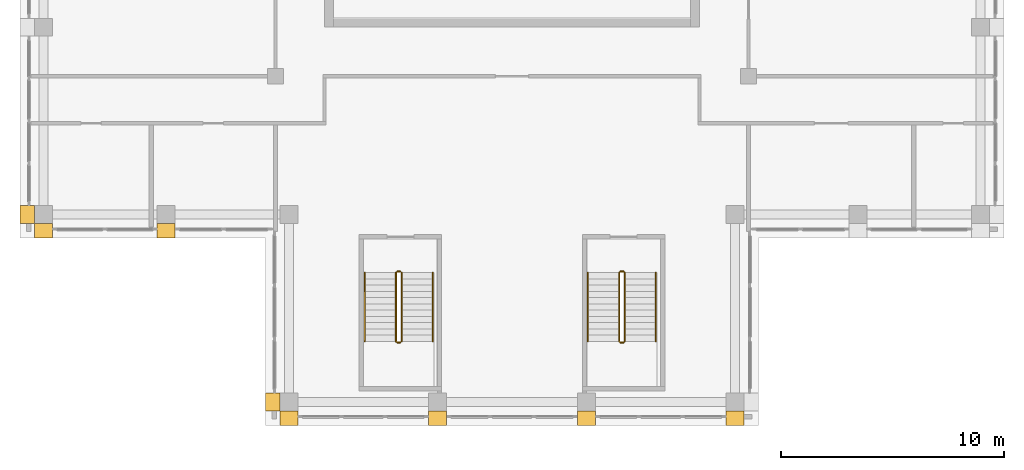
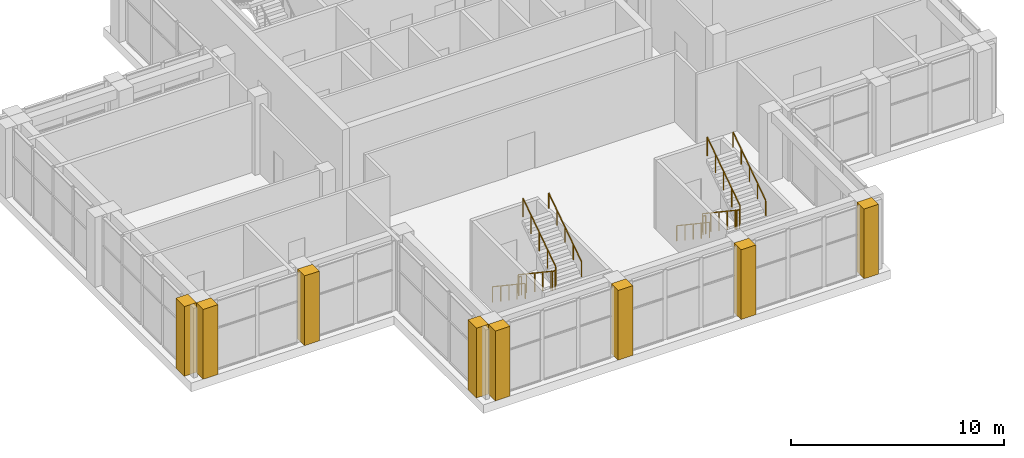
# One storey, part 12 of 14: 10 railings, 8 coverings.
"""IFC4 building model written with IfcOpenShell, lengths in metres."""

from ifc_helpers import new_model, si_unit, direction, frame, origin, origin_2d, place, context, subcontext, project, spatial, polyline, rectangle, outline, extrude, material, type_object, element, save


model = new_model("IFC4")

# Units and contexts
model_context = context("Model", 3, precision=1e-05, world=origin(), true_north=direction((0.0, 1.0)))
body_context = subcontext(model_context, "Body", "Model", "MODEL_VIEW")
ifc_project = project(units=[si_unit("LENGTHUNIT", "METRE"), si_unit("AREAUNIT", "SQUARE_METRE"), si_unit("VOLUMEUNIT", "CUBIC_METRE"), si_unit("PLANEANGLEUNIT", "RADIAN"), si_unit("MASSUNIT", "GRAM", prefix="KILO")], contexts=[model_context])

# Site, building, storey
site_placement = place(None, origin())
site = spatial("IfcSite", under=ifc_project, at=site_placement, CompositionType="ELEMENT")
building_placement = place(site_placement, origin())
building = spatial("IfcBuilding", under=site, at=building_placement, Name="Vermilion Ogive Tower", CompositionType="ELEMENT")
storey_placement = place(building_placement, frame((0.0, 0.0, 273.85009765625)))
storey = spatial("IfcBuildingStorey", under=building, at=storey_placement, Name="L72", CompositionType="ELEMENT", Elevation=273.85009765625)

# Railings
ifc_material_1 = material(Name="Steel S355 painted", Category="steel")
railing_type_1 = type_object("IfcRailingType", Name="Stair guard 1100", PredefinedType="GUARDRAIL", material=ifc_material_1)
railing_1_placement = place(storey_placement, frame((4.800048828125, -6.800048828125, 0.1875)))
element("IfcRailing", 1, at=railing_1_placement, inside=storey, type_object=railing_type_1, Name="L72 ST6 stair guard 1", PredefinedType="GUARDRAIL", context=body_context, shape_type="SweptSolid", body=[
    extrude(rectangle(XDim=0.048095703125, YDim=0.048095703125, at=origin_2d()), frame((0.0, 0.0, 1.076171875), z_axis=(0.0, -0.830893310487, 0.556431762742), x_axis=(1.0, 0.0, 0.0)), (0.0, 0.0, 1.0), 3.70654296875),
    extrude(rectangle(XDim=0.048095703125, YDim=0.048095703125, at=origin_2d()), frame((0.0, -3.079833984375, 3.138671875), z_axis=(0.707106781187, -0.707106781187, 0.0), x_axis=(0.707106781187, 0.707106781187, 0.0)), (0.0, 0.0, 1.0), 0.07080078125),
    extrude(rectangle(XDim=0.048095703125, YDim=0.048095703125, at=origin_2d()), frame((0.050048828125, -3.1298828125, 3.138671875), z_axis=(1.0, 0.0, 0.0), x_axis=(0.0, 1.0, 0.0)), (0.0, 0.0, 1.0), 0.14990234375),
    extrude(rectangle(XDim=0.0419921875, YDim=0.0419921875, at=origin_2d()), origin(), (0.0, 0.0, 1.0), 1.052001953125),
    extrude(rectangle(XDim=0.0419921875, YDim=0.0419921875, at=origin_2d()), frame((0.0, -0.77001953125, 0.515625)), (0.0, 0.0, 1.0), 1.052001953125),
    extrude(rectangle(XDim=0.0419921875, YDim=0.0419921875, at=origin_2d()), frame((0.0, -1.5400390625, 1.03125)), (0.0, 0.0, 1.0), 1.052001953125),
    extrude(rectangle(XDim=0.0419921875, YDim=0.0419921875, at=origin_2d()), frame((0.0, -2.309814453125, 1.546875)), (0.0, 0.0, 1.0), 1.052001953125),
    extrude(rectangle(XDim=0.0419921875, YDim=0.0419921875, at=origin_2d()), frame((0.0, -3.079833984375, 2.0625)), (0.0, 0.0, 1.0), 1.052001953125),
    extrude(rectangle(XDim=0.0419921875, YDim=0.0419921875, at=origin_2d()), frame((0.050048828125, -3.1298828125, 2.0625)), (0.0, 0.0, 1.0), 1.052001953125),
    extrude(rectangle(XDim=0.0419921875, YDim=0.0419921875, at=origin_2d()), frame((0.199951171875, -3.1298828125, 2.0625)), (0.0, 0.0, 1.0), 1.052001953125),
])
railing_2_placement = place(storey_placement, frame((5.050048828125, -9.8798828125, 2.4375)))
element("IfcRailing", 2, at=railing_2_placement, inside=storey, type_object=railing_type_1, Name="L72 ST6 stair guard 3", PredefinedType="GUARDRAIL", context=body_context, shape_type="SweptSolid", body=[
    extrude(rectangle(XDim=0.048095703125, YDim=0.048095703125, at=origin_2d()), frame((0.0, 0.0, 1.076171875), z_axis=(0.0, 0.830893310487, 0.556431762742), x_axis=(-1.0, 0.0, 0.0)), (0.0, 0.0, 1.0), 3.70654296875),
    extrude(rectangle(XDim=0.0419921875, YDim=0.0419921875, at=origin_2d()), origin(), (0.0, 0.0, 1.0), 1.052001953125),
    extrude(rectangle(XDim=0.0419921875, YDim=0.0419921875, at=origin_2d()), frame((0.0, 0.77001953125, 0.515625)), (0.0, 0.0, 1.0), 1.052001953125),
    extrude(rectangle(XDim=0.0419921875, YDim=0.0419921875, at=origin_2d()), frame((0.0, 1.5400390625, 1.03125)), (0.0, 0.0, 1.0), 1.052001953125),
    extrude(rectangle(XDim=0.0419921875, YDim=0.0419921875, at=origin_2d()), frame((0.0, 2.309814453125, 1.546875)), (0.0, 0.0, 1.0), 1.052001953125),
    extrude(rectangle(XDim=0.0419921875, YDim=0.0419921875, at=origin_2d()), frame((0.0, 3.079833984375, 2.0625)), (0.0, 0.0, 1.0), 1.052001953125),
])
railing_3_placement = place(storey_placement, frame((4.85009765625, -6.75, 0.0)))
element("IfcRailing", 3, at=railing_3_placement, inside=storey, type_object=railing_type_1, Name="L72 ST6 stair guard 4", PredefinedType="GUARDRAIL", context=body_context, shape_type="SweptSolid", body=[
    extrude(rectangle(XDim=0.048095703125, YDim=0.048095703125, at=origin_2d()), frame((0.0, 0.0, 1.076171875), z_axis=(1.0, 0.0, 0.0), x_axis=(0.0, 1.0, 0.0)), (0.0, 0.0, 1.0), 0.14990234375),
    extrude(rectangle(XDim=0.0419921875, YDim=0.0419921875, at=origin_2d()), origin(), (0.0, 0.0, 1.0), 1.052001953125),
    extrude(rectangle(XDim=0.0419921875, YDim=0.0419921875, at=origin_2d()), frame((0.14990234375, 0.0, 0.0)), (0.0, 0.0, 1.0), 1.052001953125),
])
railing_4_placement = place(storey_placement, frame((-5.199951171875, -6.800048828125, 0.1875)))
element("IfcRailing", 4, at=railing_4_placement, inside=storey, type_object=railing_type_1, Name="L72 ST7 stair guard 1", PredefinedType="GUARDRAIL", context=body_context, shape_type="SweptSolid", body=[
    extrude(rectangle(XDim=0.048095703125, YDim=0.048095703125, at=origin_2d()), frame((0.0, 0.0, 1.076171875), z_axis=(0.0, -0.830893310487, 0.556431762742), x_axis=(1.0, 0.0, 0.0)), (0.0, 0.0, 1.0), 3.70654296875),
    extrude(rectangle(XDim=0.048095703125, YDim=0.048095703125, at=origin_2d()), frame((0.0, -3.079833984375, 3.138671875), z_axis=(0.707106781187, -0.707106781187, 0.0), x_axis=(0.707106781187, 0.707106781187, 0.0)), (0.0, 0.0, 1.0), 0.07080078125),
    extrude(rectangle(XDim=0.048095703125, YDim=0.048095703125, at=origin_2d()), frame((0.050048828125, -3.1298828125, 3.138671875), z_axis=(1.0, 0.0, 0.0), x_axis=(0.0, 1.0, 0.0)), (0.0, 0.0, 1.0), 0.14990234375),
    extrude(rectangle(XDim=0.0419921875, YDim=0.0419921875, at=origin_2d()), origin(), (0.0, 0.0, 1.0), 1.052001953125),
    extrude(rectangle(XDim=0.0419921875, YDim=0.0419921875, at=origin_2d()), frame((0.0, -0.77001953125, 0.515625)), (0.0, 0.0, 1.0), 1.052001953125),
    extrude(rectangle(XDim=0.0419921875, YDim=0.0419921875, at=origin_2d()), frame((0.0, -1.5400390625, 1.03125)), (0.0, 0.0, 1.0), 1.052001953125),
    extrude(rectangle(XDim=0.0419921875, YDim=0.0419921875, at=origin_2d()), frame((0.0, -2.309814453125, 1.546875)), (0.0, 0.0, 1.0), 1.052001953125),
    extrude(rectangle(XDim=0.0419921875, YDim=0.0419921875, at=origin_2d()), frame((0.0, -3.079833984375, 2.0625)), (0.0, 0.0, 1.0), 1.052001953125),
    extrude(rectangle(XDim=0.0419921875, YDim=0.0419921875, at=origin_2d()), frame((0.050048828125, -3.1298828125, 2.0625)), (0.0, 0.0, 1.0), 1.052001953125),
    extrude(rectangle(XDim=0.0419921875, YDim=0.0419921875, at=origin_2d()), frame((0.199951171875, -3.1298828125, 2.0625)), (0.0, 0.0, 1.0), 1.052001953125),
])
railing_5_placement = place(storey_placement, frame((-4.949951171875, -9.8798828125, 2.4375)))
element("IfcRailing", 5, at=railing_5_placement, inside=storey, type_object=railing_type_1, Name="L72 ST7 stair guard 3", PredefinedType="GUARDRAIL", context=body_context, shape_type="SweptSolid", body=[
    extrude(rectangle(XDim=0.048095703125, YDim=0.048095703125, at=origin_2d()), frame((0.0, 0.0, 1.076171875), z_axis=(0.0, 0.830893310487, 0.556431762742), x_axis=(-1.0, 0.0, 0.0)), (0.0, 0.0, 1.0), 3.70654296875),
    extrude(rectangle(XDim=0.0419921875, YDim=0.0419921875, at=origin_2d()), origin(), (0.0, 0.0, 1.0), 1.052001953125),
    extrude(rectangle(XDim=0.0419921875, YDim=0.0419921875, at=origin_2d()), frame((0.0, 0.77001953125, 0.515625)), (0.0, 0.0, 1.0), 1.052001953125),
    extrude(rectangle(XDim=0.0419921875, YDim=0.0419921875, at=origin_2d()), frame((0.0, 1.5400390625, 1.03125)), (0.0, 0.0, 1.0), 1.052001953125),
    extrude(rectangle(XDim=0.0419921875, YDim=0.0419921875, at=origin_2d()), frame((0.0, 2.309814453125, 1.546875)), (0.0, 0.0, 1.0), 1.052001953125),
    extrude(rectangle(XDim=0.0419921875, YDim=0.0419921875, at=origin_2d()), frame((0.0, 3.079833984375, 2.0625)), (0.0, 0.0, 1.0), 1.052001953125),
])
railing_6_placement = place(storey_placement, frame((-5.14990234375, -6.75, 0.0)))
element("IfcRailing", 6, at=railing_6_placement, inside=storey, type_object=railing_type_1, Name="L72 ST7 stair guard 4", PredefinedType="GUARDRAIL", context=body_context, shape_type="SweptSolid", body=[
    extrude(rectangle(XDim=0.048095703125, YDim=0.048095703125, at=origin_2d()), frame((0.0, 0.0, 1.076171875), z_axis=(1.0, 0.0, 0.0), x_axis=(0.0, 1.0, 0.0)), (0.0, 0.0, 1.0), 0.14990234375),
    extrude(rectangle(XDim=0.0419921875, YDim=0.0419921875, at=origin_2d()), origin(), (0.0, 0.0, 1.0), 1.052001953125),
    extrude(rectangle(XDim=0.0419921875, YDim=0.0419921875, at=origin_2d()), frame((0.14990234375, 0.0, 0.0)), (0.0, 0.0, 1.0), 1.052001953125),
])
ifc_material_2 = material(Name="Stainless steel", Category="steel")
railing_type_2 = type_object("IfcRailingType", Name="Stair handrail 900", PredefinedType="HANDRAIL", material=ifc_material_2)
railing_7_placement = place(storey_placement, frame((3.39990234375, -6.800048828125, 0.1875)))
element("IfcRailing", 7, at=railing_7_placement, inside=storey, type_object=railing_type_2, Name="L72 ST6 stair handrail 1", PredefinedType="HANDRAIL", context=body_context, shape_type="SweptSolid", body=[
    extrude(rectangle(XDim=0.048095703125, YDim=0.048095703125, at=origin_2d()), frame((0.0, 0.0, 0.8759765625), z_axis=(0.0, -0.830893310487, 0.556431762742), x_axis=(1.0, 0.0, 0.0)), (0.0, 0.0, 1.0), 3.70654296875),
    extrude(rectangle(XDim=0.0419921875, YDim=0.0419921875, at=origin_2d()), origin(), (0.0, 0.0, 1.0), 0.851806640625),
    extrude(rectangle(XDim=0.0419921875, YDim=0.0419921875, at=origin_2d()), frame((0.0, -0.77001953125, 0.515625)), (0.0, 0.0, 1.0), 0.851806640625),
    extrude(rectangle(XDim=0.0419921875, YDim=0.0419921875, at=origin_2d()), frame((0.0, -1.5400390625, 1.03125)), (0.0, 0.0, 1.0), 0.851806640625),
    extrude(rectangle(XDim=0.0419921875, YDim=0.0419921875, at=origin_2d()), frame((0.0, -2.309814453125, 1.546875)), (0.0, 0.0, 1.0), 0.851806640625),
    extrude(rectangle(XDim=0.0419921875, YDim=0.0419921875, at=origin_2d()), frame((0.0, -3.079833984375, 2.0625)), (0.0, 0.0, 1.0), 0.851806640625),
])
railing_8_placement = place(storey_placement, frame((6.449951171875, -9.8798828125, 2.4375)))
element("IfcRailing", 8, at=railing_8_placement, inside=storey, type_object=railing_type_2, Name="L72 ST6 stair handrail 2", PredefinedType="HANDRAIL", context=body_context, shape_type="SweptSolid", body=[
    extrude(rectangle(XDim=0.048095703125, YDim=0.048095703125, at=origin_2d()), frame((0.0, 0.0, 0.8759765625), z_axis=(0.0, 0.830893310487, 0.556431762742), x_axis=(-1.0, 0.0, 0.0)), (0.0, 0.0, 1.0), 3.70654296875),
    extrude(rectangle(XDim=0.0419921875, YDim=0.0419921875, at=origin_2d()), origin(), (0.0, 0.0, 1.0), 0.851806640625),
    extrude(rectangle(XDim=0.0419921875, YDim=0.0419921875, at=origin_2d()), frame((0.0, 0.77001953125, 0.515625)), (0.0, 0.0, 1.0), 0.851806640625),
    extrude(rectangle(XDim=0.0419921875, YDim=0.0419921875, at=origin_2d()), frame((0.0, 1.5400390625, 1.03125)), (0.0, 0.0, 1.0), 0.851806640625),
    extrude(rectangle(XDim=0.0419921875, YDim=0.0419921875, at=origin_2d()), frame((0.0, 2.309814453125, 1.546875)), (0.0, 0.0, 1.0), 0.851806640625),
    extrude(rectangle(XDim=0.0419921875, YDim=0.0419921875, at=origin_2d()), frame((0.0, 3.079833984375, 2.0625)), (0.0, 0.0, 1.0), 0.851806640625),
])
railing_9_placement = place(storey_placement, frame((-6.60009765625, -6.800048828125, 0.1875)))
element("IfcRailing", 9, at=railing_9_placement, inside=storey, type_object=railing_type_2, Name="L72 ST7 stair handrail 1", PredefinedType="HANDRAIL", context=body_context, shape_type="SweptSolid", body=[
    extrude(rectangle(XDim=0.048095703125, YDim=0.048095703125, at=origin_2d()), frame((0.0, 0.0, 0.8759765625), z_axis=(0.0, -0.830893310487, 0.556431762742), x_axis=(1.0, 0.0, 0.0)), (0.0, 0.0, 1.0), 3.70654296875),
    extrude(rectangle(XDim=0.0419921875, YDim=0.0419921875, at=origin_2d()), origin(), (0.0, 0.0, 1.0), 0.851806640625),
    extrude(rectangle(XDim=0.0419921875, YDim=0.0419921875, at=origin_2d()), frame((0.0, -0.77001953125, 0.515625)), (0.0, 0.0, 1.0), 0.851806640625),
    extrude(rectangle(XDim=0.0419921875, YDim=0.0419921875, at=origin_2d()), frame((0.0, -1.5400390625, 1.03125)), (0.0, 0.0, 1.0), 0.851806640625),
    extrude(rectangle(XDim=0.0419921875, YDim=0.0419921875, at=origin_2d()), frame((0.0, -2.309814453125, 1.546875)), (0.0, 0.0, 1.0), 0.851806640625),
    extrude(rectangle(XDim=0.0419921875, YDim=0.0419921875, at=origin_2d()), frame((0.0, -3.079833984375, 2.0625)), (0.0, 0.0, 1.0), 0.851806640625),
])
railing_10_placement = place(storey_placement, frame((-3.550048828125, -9.8798828125, 2.4375)))
element("IfcRailing", 10, at=railing_10_placement, inside=storey, type_object=railing_type_2, Name="L72 ST7 stair handrail 2", PredefinedType="HANDRAIL", context=body_context, shape_type="SweptSolid", body=[
    extrude(rectangle(XDim=0.048095703125, YDim=0.048095703125, at=origin_2d()), frame((0.0, 0.0, 0.8759765625), z_axis=(0.0, 0.830893310487, 0.556431762742), x_axis=(-1.0, 0.0, 0.0)), (0.0, 0.0, 1.0), 3.70654296875),
    extrude(rectangle(XDim=0.0419921875, YDim=0.0419921875, at=origin_2d()), origin(), (0.0, 0.0, 1.0), 0.851806640625),
    extrude(rectangle(XDim=0.0419921875, YDim=0.0419921875, at=origin_2d()), frame((0.0, 0.77001953125, 0.515625)), (0.0, 0.0, 1.0), 0.851806640625),
    extrude(rectangle(XDim=0.0419921875, YDim=0.0419921875, at=origin_2d()), frame((0.0, 1.5400390625, 1.03125)), (0.0, 0.0, 1.0), 0.851806640625),
    extrude(rectangle(XDim=0.0419921875, YDim=0.0419921875, at=origin_2d()), frame((0.0, 2.309814453125, 1.546875)), (0.0, 0.0, 1.0), 0.851806640625),
    extrude(rectangle(XDim=0.0419921875, YDim=0.0419921875, at=origin_2d()), frame((0.0, 3.079833984375, 2.0625)), (0.0, 0.0, 1.0), 0.851806640625),
])

# Coverings
ifc_material_3 = material(Name="Stone cladding", Category="masonry")
covering_type = type_object("IfcCoveringType", Name="Stone pier", PredefinedType="CLADDING", material=ifc_material_3)
covering_1_placement = place(storey_placement, origin())
element("IfcCovering", 11, at=covering_1_placement, inside=storey, type_object=covering_type, Name="Stone pier P+0033-126", PredefinedType="CLADDING", context=body_context, shape_type="SweptSolid", body=[
    extrude(outline(polyline([(3.7333984375, -13.0), (3.7333984375, -13.64990234375), (2.933349609375, -13.64990234375), (2.933349609375, -13.0), (2.933349609375, -13.0), (3.7333984375, -13.0)])), origin(), (0.0, 0.0, 1.0), 4.0),
])
covering_2_placement = place(storey_placement, origin())
element("IfcCovering", 12, at=covering_2_placement, inside=storey, type_object=covering_type, Name="Stone pier P+0100-126S", PredefinedType="CLADDING", context=body_context, shape_type="SweptSolid", body=[
    extrude(outline(polyline([(10.39990234375, -13.64990234375), (9.60009765625, -13.64990234375), (9.60009765625, -13.0), (10.39990234375, -13.0), (10.39990234375, -13.64990234375)])), origin(), (0.0, 0.0, 1.0), 4.0),
])
covering_3_placement = place(storey_placement, origin())
element("IfcCovering", 13, at=covering_3_placement, inside=storey, type_object=covering_type, Name="Stone pier P-0033-126", PredefinedType="CLADDING", context=body_context, shape_type="SweptSolid", body=[
    extrude(outline(polyline([(-2.933349609375, -13.0), (-2.933349609375, -13.64990234375), (-3.7333984375, -13.64990234375), (-3.7333984375, -13.0), (-2.933349609375, -13.0), (-2.933349609375, -13.0)])), origin(), (0.0, 0.0, 1.0), 4.0),
])
covering_4_placement = place(storey_placement, origin())
element("IfcCovering", 14, at=covering_4_placement, inside=storey, type_object=covering_type, Name="Stone pier P-0100-126S", PredefinedType="CLADDING", context=body_context, shape_type="SweptSolid", body=[
    extrude(outline(polyline([(-9.60009765625, -13.64990234375), (-10.39990234375, -13.64990234375), (-10.39990234375, -13.0), (-9.60009765625, -13.0), (-9.60009765625, -13.64990234375)])), origin(), (0.0, 0.0, 1.0), 4.0),
])
covering_5_placement = place(storey_placement, origin())
element("IfcCovering", 15, at=covering_5_placement, inside=storey, type_object=covering_type, Name="Stone pier P-0100-126X8", PredefinedType="CLADDING", context=body_context, shape_type="SweptSolid", body=[
    extrude(outline(polyline([(-11.050048828125, -13.0), (-11.050048828125, -12.199951171875), (-10.39990234375, -12.199951171875), (-10.39990234375, -12.199951171875), (-10.39990234375, -13.0), (-11.050048828125, -13.0)])), origin(), (0.0, 0.0, 1.0), 4.0),
])
covering_6_placement = place(storey_placement, origin())
element("IfcCovering", 16, at=covering_6_placement, inside=storey, type_object=covering_type, Name="Stone pier P-0155-042", PredefinedType="CLADDING", context=body_context, shape_type="SweptSolid", body=[
    extrude(outline(polyline([(-15.10009765625, -5.25), (-15.89990234375, -5.25), (-15.89990234375, -4.60009765625), (-15.10009765625, -4.60009765625), (-15.10009765625, -5.25)])), origin(), (0.0, 0.0, 1.0), 4.0),
])
covering_7_placement = place(storey_placement, origin())
element("IfcCovering", 17, at=covering_7_placement, inside=storey, type_object=covering_type, Name="Stone pier P-0210-042W", PredefinedType="CLADDING", context=body_context, shape_type="SweptSolid", body=[
    extrude(outline(polyline([(-22.050048828125, -4.60009765625), (-22.050048828125, -3.800048828125), (-21.39990234375, -3.800048828125), (-21.39990234375, -4.60009765625), (-22.050048828125, -4.60009765625)])), origin(), (0.0, 0.0, 1.0), 4.0),
])
covering_8_placement = place(storey_placement, origin())
element("IfcCovering", 18, at=covering_8_placement, inside=storey, type_object=covering_type, Name="Stone pier P-0210-042X7", PredefinedType="CLADDING", context=body_context, shape_type="SweptSolid", body=[
    extrude(outline(polyline([(-21.39990234375, -5.25), (-21.39990234375, -4.60009765625), (-20.60009765625, -4.60009765625), (-20.60009765625, -5.25), (-21.39990234375, -5.25)])), origin(), (0.0, 0.0, 1.0), 4.0),
])

save(model, "model.ifc")
